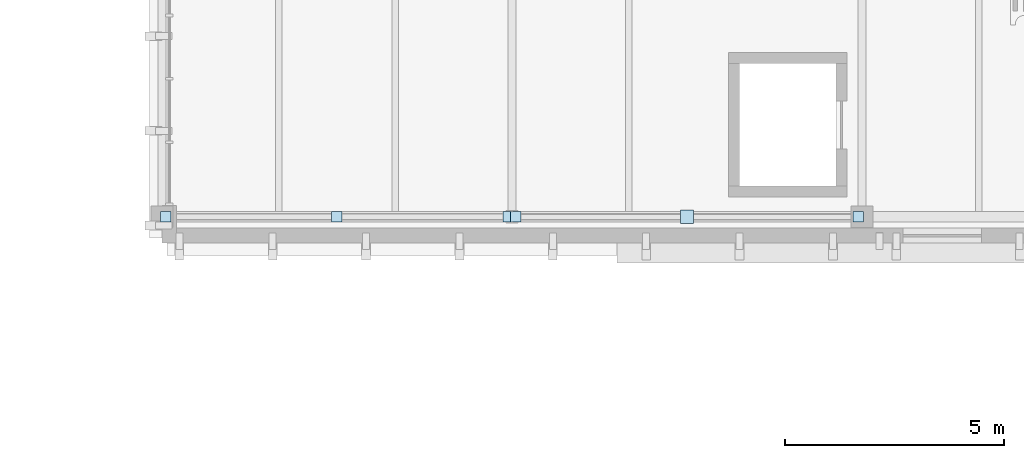
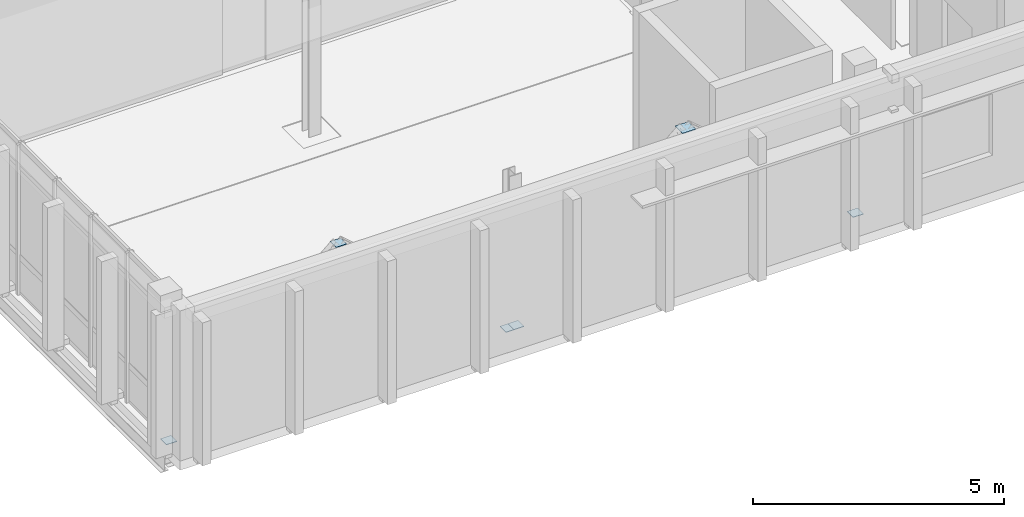
# One storey, part 16 of 28: 6 plates.
"""IFC4 building model written with IfcOpenShell, lengths in metres."""

from ifc_helpers import new_model, si_unit, direction, frame, origin, origin_2d, place, context, subcontext, project, spatial, rectangle, extrude, material, layer, layer_set, type_object, element, save


model = new_model("IFC4")

# Units and contexts
model_context = context("Model", 3, precision=1e-05, world=origin(), true_north=direction((0.0, 1.0)))
body_context = subcontext(model_context, "Body", "Model", "MODEL_VIEW")
ifc_project = project(units=[si_unit("LENGTHUNIT", "METRE"), si_unit("AREAUNIT", "SQUARE_METRE"), si_unit("VOLUMEUNIT", "CUBIC_METRE"), si_unit("PLANEANGLEUNIT", "RADIAN"), si_unit("MASSUNIT", "GRAM", prefix="KILO")], contexts=[model_context])

# Site, building, storey
site_placement = place(None, origin())
site = spatial("IfcSite", under=ifc_project, at=site_placement, CompositionType="ELEMENT")
building_placement = place(site_placement, origin())
building = spatial("IfcBuilding", under=site, at=building_placement, Name="Cymarion Research Institute", CompositionType="ELEMENT")
storey_placement = place(building_placement, frame((0.0, 0.0, 30.60009765625)))
storey = spatial("IfcBuildingStorey", under=building, at=storey_placement, Name="L07", CompositionType="ELEMENT", Elevation=30.60009765625)

# Plates
ifc_material = material(Name="Steel S355", Category="steel")
ifc_layer_1 = layer(ifc_material, 0.01806640625)
ifc_layer_set_1 = layer_set([ifc_layer_1], Name="Steel S355")
plate_type_1 = type_object("IfcPlateType", Name="STEEL NODE GUSSET PLATE CP01 18MM", PredefinedType="USERDEFINED", material=ifc_layer_set_1)
plate_placement = place(storey_placement, frame((26.60009765625, 47.5, 3.55078125), z_axis=(0.0, 0.0, 1.0), x_axis=(1.0, 0.0, 0.0)))
element("IfcPlate", 1, at=plate_placement, inside=storey, type_object=plate_type_1, Name="L07 V4 chevron apex gusset plate", ObjectType="GUSSET PLATE", PredefinedType="USERDEFINED", context=body_context, shape_type="SweptSolid", body=[
    extrude(rectangle(XDim=0.300048828125, YDim=0.300048828125, at=origin_2d()), origin(), (0.0, 0.0, 1.0), 0.01806640625),
])
ifc_layer_2 = layer(ifc_material, 0.011962890625)
ifc_layer_set_2 = layer_set([ifc_layer_2], Name="Steel S355")
plate_type_2 = type_object("IfcPlateType", Name="STEEL NODE GUSSET PLATE CP02 12MM", PredefinedType="USERDEFINED", material=ifc_layer_set_2)
for number, where, z_axis, x_axis, name in (
    (2, (18.60009765625, 47.5, 3.5537109375), (0.0, 0.0, 1.0), (1.0, 0.0, 0.0), "L07 V4 chevron apex gusset plate"),
    (3, (14.69091796875, 47.5, 0.11376953125), (0.0, 0.0, 1.0), (1.0, 0.0, 0.0), "L07 V4 chevron base gusset plate #1"),
    (4, (22.509033203125, 47.5, 0.11376953125), (0.0, 0.0, 1.0), (1.0, 0.0, 0.0), "L07 V4 chevron base gusset plate #2"),
    (5, (22.69091796875, 47.5, 0.11376953125), (0.0, 0.0, 1.0), (1.0, 0.0, 0.0), "L07 V4 chevron base gusset plate #1"),
    (6, (30.509033203125, 47.5, 0.11376953125), (0.0, 0.0, 1.0), (1.0, 0.0, 0.0), "L07 V4 chevron base gusset plate #2"),
):
    element("IfcPlate", number, at=place(storey_placement, frame(where, z_axis=z_axis, x_axis=x_axis)), inside=storey, type_object=plate_type_2, Name=name, ObjectType="GUSSET PLATE", PredefinedType="USERDEFINED", context=body_context, shape_type="SweptSolid", body=[
        extrude(rectangle(XDim=0.239990234375, YDim=0.239990234375, at=origin_2d()), origin(), (0.0, 0.0, 1.0), 0.011962890625),
    ])

save(model, "model.ifc")
